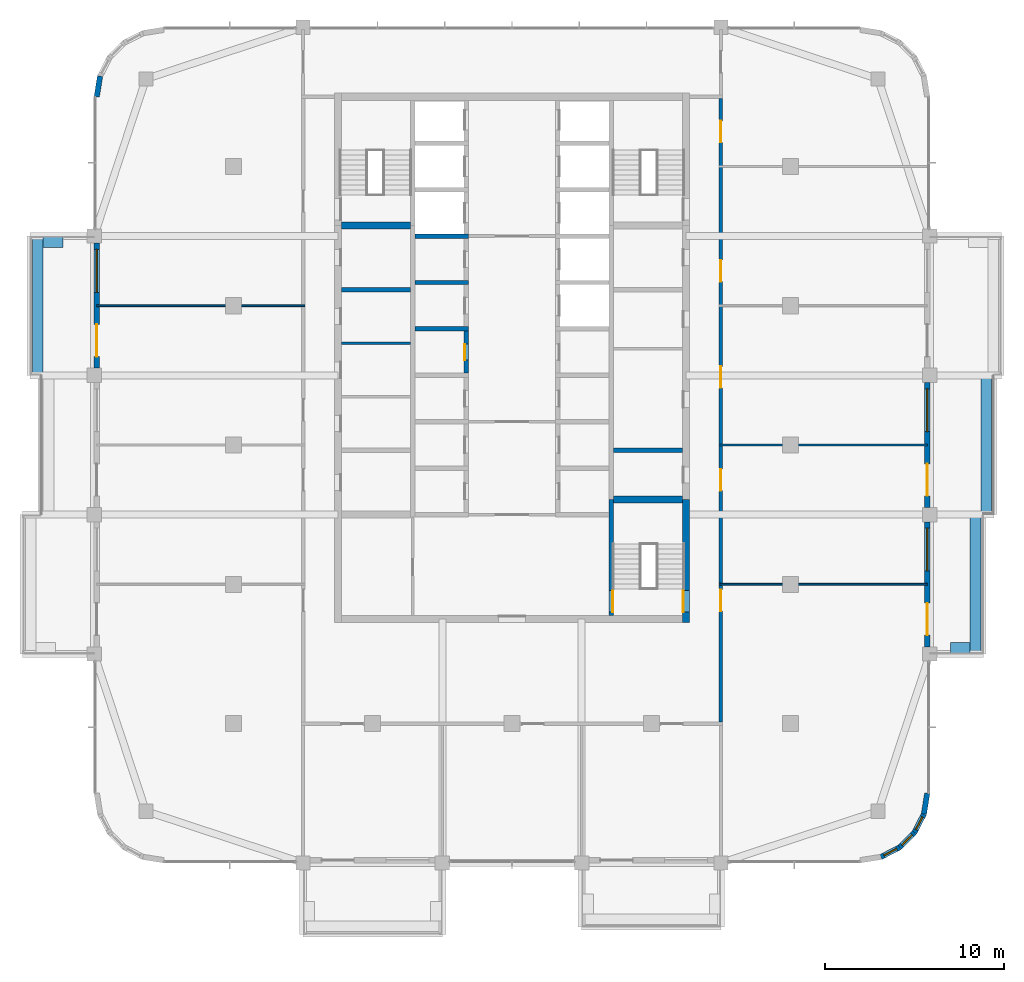
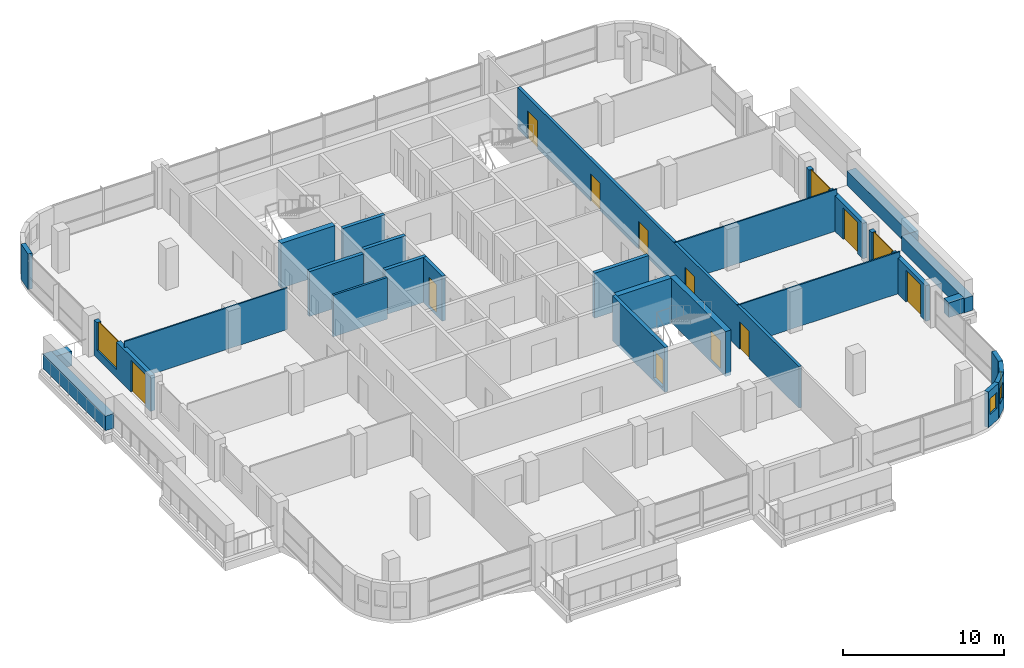
# One storey, part 14 of 22: 28 walls, 11 doors, 6 windows, 17 openings.
"""IFC4 building model written with IfcOpenShell, lengths in metres."""

from ifc_helpers import new_model, si_unit, direction, frame, frame_2d, origin, place, context, subcontext, project, spatial, rectangle, extrude, material, layer, layer_set, type_object, element, fill, save


model = new_model("IFC4")

# Units and contexts
model_context = context("Model", 3, precision=1e-05, world=origin(), true_north=direction((0.0, 1.0)))
body_context = subcontext(model_context, "Body", "Model", "MODEL_VIEW")
ifc_project = project(units=[si_unit("LENGTHUNIT", "METRE"), si_unit("AREAUNIT", "SQUARE_METRE"), si_unit("VOLUMEUNIT", "CUBIC_METRE"), si_unit("PLANEANGLEUNIT", "RADIAN"), si_unit("MASSUNIT", "GRAM", prefix="KILO")], contexts=[model_context])

# Site, building, storey
site_placement = place(None, origin())
site = spatial("IfcSite", under=ifc_project, at=site_placement, CompositionType="ELEMENT")
building_placement = place(site_placement, origin())
building = spatial("IfcBuilding", under=site, at=building_placement, Name="Ludao Terraces", CompositionType="ELEMENT")
storey_placement = place(building_placement, frame((0.0, 0.0, 200.699951171875)))
storey = spatial("IfcBuildingStorey", under=building, at=storey_placement, Name="L54", CompositionType="ELEMENT", Elevation=200.699951171875)

# Wall, opening, door
ifc_material_1 = material(Name="Concrete C50", Category="concrete")
ifc_layer_1 = layer(ifc_material_1, 0.39990234375)
ifc_layer_set_1 = layer_set([ifc_layer_1], Name="Core wall 400 C50")
wall_type_1 = type_object("IfcWallType", Name="Core wall 400 C50", PredefinedType="SOLIDWALL", material=ifc_layer_set_1)
wall_1_placement = place(storey_placement, frame((94.75, 55.050048828125, -0.25), z_axis=(0.0, 0.0, 1.0), x_axis=(0.0, 1.0, 0.0)))
wall_1 = element("IfcWall", 1, at=wall_1_placement, inside=storey, type_object=wall_type_1, Name="Core wall L54 outer-E-S3", PredefinedType="SOLIDWALL", context=body_context, shape_type="SweptSolid", body=[
    extrude(rectangle(XDim=6.89990234375, YDim=0.39990234375, at=frame_2d((3.449951171875, 0.0))), origin(), (0.0, 0.0, 1.0), 3.400146484375),
])
opening_1_placement = place(wall_1_placement, frame((0.60009765625, 0.0, 0.25)))
opening_1 = element("IfcOpeningElement", 2, at=opening_1_placement, cuts=wall_1, Name="Opening C3-006", PredefinedType="OPENING", context=body_context, shape_type="SweptSolid", body=[
    extrude(rectangle(XDim=1.199951171875, YDim=2.10009765625, at=frame_2d((0.60009765625, 1.050048828125))), frame((0.0, 0.2099609375, 0.0), z_axis=(0.0, -1.0, 0.0), x_axis=(1.0, 0.0, 0.0)), (0.0, 0.0, 1.0), 0.419921875),
])
ifc_material_2 = material(Name="Steel Q235", Category="steel")
door_type_1 = type_object("IfcDoorType", Name="INT Stair door 1200", OperationType="DOUBLE_DOOR_SINGLE_SWING", PredefinedType="DOOR", material=ifc_material_2)
door_1_placement = place(opening_1_placement, origin())
door_1 = element("IfcDoor", 3, at=door_1_placement, inside=storey, type_object=door_type_1, Name="DOOR 006", OperationType="DOUBLE_DOOR_SINGLE_SWING", OverallHeight=2.10009765625, OverallWidth=1.199951171875, PredefinedType="DOOR", context=body_context, shape_type="SweptSolid", body=[
    extrude(rectangle(XDim=1.199951171875, YDim=2.10009765625, at=frame_2d((0.60009765625, 1.050048828125))), frame((0.0, 0.18505859375, 0.0), z_axis=(0.0, -1.0, 0.0), x_axis=(1.0, 0.0, 0.0)), (0.0, 0.0, 1.0), 0.050048828125),
])
fill(opening_1, door_1)

# Walls
ifc_material_3 = material(Name="Concrete C40", Category="concrete")
ifc_layer_2 = layer(ifc_material_3, 0.60009765625)
ifc_layer_set_2 = layer_set([ifc_layer_2], Name="ENV Planter trough 600")
wall_type_2 = type_object("IfcWallType", Name="ENV Planter trough 600", PredefinedType="USERDEFINED", material=ifc_layer_set_2)
wall_2_placement = place(storey_placement, frame((110.949951171875, 53.300048828125, 0.0), z_axis=(0.0, 0.0, 1.0), x_axis=(0.0, 1.0, 0.0)))
element("IfcWall", 4, at=wall_2_placement, inside=storey, type_object=wall_type_2, Name="PL-L54-E1", ObjectType="PLANTER", PredefinedType="USERDEFINED", context=body_context, shape_type="SweptSolid", body=[
    extrude(rectangle(XDim=7.800048828125, YDim=0.60009765625, at=frame_2d((3.89990234375, 0.0))), origin(), (0.0, 0.0, 1.0), 1.10009765625),
])
wall_3_placement = place(storey_placement, frame((110.64990234375, 53.64990234375, 0.0), z_axis=(0.0, 0.0, 1.0), x_axis=(-1.0, 0.0, 0.0)))
element("IfcWall", 5, at=wall_3_placement, inside=storey, type_object=wall_type_2, Name="PL-L54-E1-SA", ObjectType="PLANTER", PredefinedType="USERDEFINED", context=body_context, shape_type="SweptSolid", body=[
    extrude(rectangle(XDim=1.099853515625, YDim=0.60009765625, at=frame_2d((0.5498046875, 0.0))), origin(), (0.0, 0.0, 1.0), 1.10009765625),
])
wall_4_placement = place(storey_placement, frame((111.550048828125, 61.10009765625, 0.0), z_axis=(0.0, 0.0, 1.0), x_axis=(0.0, 1.0, 0.0)))
element("IfcWall", 6, at=wall_4_placement, inside=storey, type_object=wall_type_2, Name="PL-L54-E2", ObjectType="PLANTER", PredefinedType="USERDEFINED", context=body_context, shape_type="SweptSolid", body=[
    extrude(rectangle(XDim=7.7998046875, YDim=0.60009765625, at=frame_2d((3.89990234375, 0.0))), origin(), (0.0, 0.0, 1.0), 1.10009765625),
])
wall_5_placement = place(storey_placement, frame((58.449951171875, 68.89990234375, 0.0), z_axis=(0.0, 0.0, 1.0), x_axis=(0.0, 1.0, 0.0)))
element("IfcWall", 7, at=wall_5_placement, inside=storey, type_object=wall_type_2, Name="PL-L54-W3", ObjectType="PLANTER", PredefinedType="USERDEFINED", context=body_context, shape_type="SweptSolid", body=[
    extrude(rectangle(XDim=7.800048828125, YDim=0.60009765625, at=frame_2d((3.89990234375, 0.0))), origin(), (0.0, 0.0, 1.0), 1.10009765625),
])
wall_6_placement = place(storey_placement, frame((58.75, 76.35009765625, 0.0), z_axis=(0.0, 0.0, 1.0), x_axis=(1.0, 0.0, 0.0)))
element("IfcWall", 8, at=wall_6_placement, inside=storey, type_object=wall_type_2, Name="PL-L54-W3-SB", ObjectType="PLANTER", PredefinedType="USERDEFINED", context=body_context, shape_type="SweptSolid", body=[
    extrude(rectangle(XDim=1.10009765625, YDim=0.60009765625, at=frame_2d((0.550048828125, 0.0))), origin(), (0.0, 0.0, 1.0), 1.10009765625),
])

# Wall, openings, door, window
ifc_material_4 = material(Name="Granite cladding", Category="masonry")
ifc_layer_3 = layer(ifc_material_4, 0.0400390625, Category="stone")
ifc_material_5 = material(Name="Mineral wool")
ifc_layer_4 = layer(ifc_material_5, 0.06005859375)
ifc_layer_5 = layer(ifc_material_3, 0.199951171875, Category="concrete")
ifc_layer_set_3 = layer_set([ifc_layer_3, ifc_layer_4, ifc_layer_5], Name="ENV Stone-clad wall 300")
wall_type_3 = type_object("IfcWallType", Name="ENV Stone-clad wall 300", PredefinedType="SOLIDWALL", material=ifc_layer_set_3)
wall_7_placement = place(storey_placement, frame((108.25, 53.699951171875, 0.0), z_axis=(0.0, 0.0, 1.0), x_axis=(0.0, 1.0, 0.0)))
wall_7 = element("IfcWall", 9, at=wall_7_placement, inside=storey, type_object=wall_type_3, Name="EW-L54-E2", PredefinedType="SOLIDWALL", context=body_context, shape_type="SweptSolid", body=[
    extrude(rectangle(XDim=7.0, YDim=0.300048828125, at=frame_2d((3.5, 0.0))), origin(), (0.0, 0.0, 1.0), 2.699951171875),
])
opening_2_placement = place(wall_7_placement, frame((0.64990234375, 0.0, 0.0)))
opening_2 = element("IfcOpeningElement", 10, at=opening_2_placement, cuts=wall_7, Name="Opening BD", PredefinedType="OPENING", context=body_context, shape_type="SweptSolid", body=[
    extrude(rectangle(XDim=1.800048828125, YDim=2.39990234375, at=frame_2d((0.89990234375, 1.199951171875))), frame((0.0, 0.16015625, 0.0), z_axis=(0.0, -1.0, 0.0), x_axis=(1.0, 0.0, 0.0)), (0.0, 0.0, 1.0), 0.320068359375),
])
opening_3_placement = place(wall_7_placement, frame((4.25, 0.0, 0.60009765625)))
opening_3 = element("IfcOpeningElement", 11, at=opening_3_placement, cuts=wall_7, Name="Opening W4", PredefinedType="OPENING", context=body_context, shape_type="SweptSolid", body=[
    extrude(rectangle(XDim=2.39990234375, YDim=2.10009765625, at=frame_2d((1.199951171875, 1.050048828125))), frame((0.0, 0.16015625, 0.0), z_axis=(0.0, -1.0, 0.0), x_axis=(1.0, 0.0, 0.0)), (0.0, 0.0, 1.0), 0.320068359375),
])
ifc_material_6 = material(Name="Aluminium glazed door", Category="aluminium")
ifc_layer_6 = layer(ifc_material_6, 0.06005859375)
ifc_layer_set_4 = layer_set([ifc_layer_6], Name="ENV Balcony door BD 1800x2400")
door_type_2 = type_object("IfcDoorType", Name="ENV Balcony door BD 1800x2400", OperationType="DOUBLE_DOOR_SINGLE_SWING", PredefinedType="DOOR", material=ifc_layer_set_4)
door_2_placement = place(opening_2_placement, origin())
door_2 = element("IfcDoor", 12, at=door_2_placement, inside=storey, type_object=door_type_2, Name="BD-L54-E2-1", OperationType="DOUBLE_DOOR_SINGLE_SWING", OverallHeight=2.39990234375, OverallWidth=1.800048828125, PredefinedType="DOOR", context=body_context, shape_type="SweptSolid", body=[
    extrude(rectangle(XDim=1.800048828125, YDim=2.39990234375, at=frame_2d((0.89990234375, 1.199951171875))), frame((0.0, 0.02490234375, 0.0), z_axis=(0.0, -1.0, 0.0), x_axis=(1.0, 0.0, 0.0)), (0.0, 0.0, 1.0), 0.050048828125),
])
fill(opening_2, door_2)
ifc_material_7 = material(Name="Clear glass in aluminium frame", Category="aluminium")
ifc_layer_7 = layer(ifc_material_7, 0.06005859375)
ifc_layer_set_5 = layer_set([ifc_layer_7], Name="ENV Window W4 2400x2100")
window_type_1 = type_object("IfcWindowType", Name="ENV Window W4 2400x2100", PartitioningType="SINGLE_PANEL", PredefinedType="WINDOW", material=ifc_layer_set_5)
window_1_placement = place(opening_3_placement, origin())
window_1 = element("IfcWindow", 13, at=window_1_placement, inside=storey, type_object=window_type_1, Name="W-L54-E2-2", OverallHeight=2.10009765625, OverallWidth=2.39990234375, PartitioningType="SINGLE_PANEL", PredefinedType="WINDOW", context=body_context, shape_type="SweptSolid", body=[
    extrude(rectangle(XDim=2.39990234375, YDim=2.10009765625, at=frame_2d((1.199951171875, 1.050048828125))), frame((0.0, 0.030029296875, 0.0), z_axis=(0.0, -1.0, 0.0), x_axis=(1.0, 0.0, 0.0)), (0.0, 0.0, 1.0), 0.06005859375),
])
fill(opening_3, window_1)

wall_8_placement = place(storey_placement, frame((108.25, 61.5, 0.0), z_axis=(0.0, 0.0, 1.0), x_axis=(0.0, 1.0, 0.0)))
wall_8 = element("IfcWall", 14, at=wall_8_placement, inside=storey, type_object=wall_type_3, Name="EW-L54-E3", PredefinedType="SOLIDWALL", context=body_context, shape_type="SweptSolid", body=[
    extrude(rectangle(XDim=7.0, YDim=0.300048828125, at=frame_2d((3.5, 0.0))), origin(), (0.0, 0.0, 1.0), 2.699951171875),
])
opening_4_placement = place(wall_8_placement, frame((0.64990234375, 0.0, 0.0)))
opening_4 = element("IfcOpeningElement", 15, at=opening_4_placement, cuts=wall_8, Name="Opening BD", PredefinedType="OPENING", context=body_context, shape_type="SweptSolid", body=[
    extrude(rectangle(XDim=1.800048828125, YDim=2.39990234375, at=frame_2d((0.89990234375, 1.199951171875))), frame((0.0, 0.16015625, 0.0), z_axis=(0.0, -1.0, 0.0), x_axis=(1.0, 0.0, 0.0)), (0.0, 0.0, 1.0), 0.320068359375),
])
opening_5_placement = place(wall_8_placement, frame((4.25, 0.0, 0.60009765625)))
opening_5 = element("IfcOpeningElement", 16, at=opening_5_placement, cuts=wall_8, Name="Opening W4", PredefinedType="OPENING", context=body_context, shape_type="SweptSolid", body=[
    extrude(rectangle(XDim=2.39990234375, YDim=2.10009765625, at=frame_2d((1.199951171875, 1.050048828125))), frame((0.0, 0.16015625, 0.0), z_axis=(0.0, -1.0, 0.0), x_axis=(1.0, 0.0, 0.0)), (0.0, 0.0, 1.0), 0.320068359375),
])
door_3_placement = place(opening_4_placement, origin())
door_3 = element("IfcDoor", 17, at=door_3_placement, inside=storey, type_object=door_type_2, Name="BD-L54-E3-1", OperationType="DOUBLE_DOOR_SINGLE_SWING", OverallHeight=2.39990234375, OverallWidth=1.800048828125, PredefinedType="DOOR", context=body_context, shape_type="SweptSolid", body=[
    extrude(rectangle(XDim=1.800048828125, YDim=2.39990234375, at=frame_2d((0.89990234375, 1.199951171875))), frame((0.0, 0.02490234375, 0.0), z_axis=(0.0, -1.0, 0.0), x_axis=(1.0, 0.0, 0.0)), (0.0, 0.0, 1.0), 0.050048828125),
])
fill(opening_4, door_3)
window_2_placement = place(opening_5_placement, origin())
window_2 = element("IfcWindow", 18, at=window_2_placement, inside=storey, type_object=window_type_1, Name="W-L54-E3-2", OverallHeight=2.10009765625, OverallWidth=2.39990234375, PartitioningType="SINGLE_PANEL", PredefinedType="WINDOW", context=body_context, shape_type="SweptSolid", body=[
    extrude(rectangle(XDim=2.39990234375, YDim=2.10009765625, at=frame_2d((1.199951171875, 1.050048828125))), frame((0.0, 0.030029296875, 0.0), z_axis=(0.0, -1.0, 0.0), x_axis=(1.0, 0.0, 0.0)), (0.0, 0.0, 1.0), 0.06005859375),
])
fill(opening_5, window_2)

wall_9_placement = place(storey_placement, frame((61.75, 69.300048828125, 0.0), z_axis=(0.0, 0.0, 1.0), x_axis=(0.0, 1.0, 0.0)))
wall_9 = element("IfcWall", 19, at=wall_9_placement, inside=storey, type_object=wall_type_3, Name="EW-L54-W4", PredefinedType="SOLIDWALL", context=body_context, shape_type="SweptSolid", body=[
    extrude(rectangle(XDim=7.0, YDim=0.300048828125, at=frame_2d((3.5, 0.0))), origin(), (0.0, 0.0, 1.0), 2.699951171875),
])
opening_6_placement = place(wall_9_placement, frame((0.64990234375, 0.0, 0.0)))
opening_6 = element("IfcOpeningElement", 20, at=opening_6_placement, cuts=wall_9, Name="Opening BD", PredefinedType="OPENING", context=body_context, shape_type="SweptSolid", body=[
    extrude(rectangle(XDim=1.800048828125, YDim=2.39990234375, at=frame_2d((0.89990234375, 1.199951171875))), frame((0.0, 0.16015625, 0.0), z_axis=(0.0, -1.0, 0.0), x_axis=(1.0, 0.0, 0.0)), (0.0, 0.0, 1.0), 0.320068359375),
])
opening_7_placement = place(wall_9_placement, frame((4.25, 0.0, 0.60009765625)))
opening_7 = element("IfcOpeningElement", 21, at=opening_7_placement, cuts=wall_9, Name="Opening W4", PredefinedType="OPENING", context=body_context, shape_type="SweptSolid", body=[
    extrude(rectangle(XDim=2.39990234375, YDim=2.10009765625, at=frame_2d((1.199951171875, 1.050048828125))), frame((0.0, 0.16015625, 0.0), z_axis=(0.0, -1.0, 0.0), x_axis=(1.0, 0.0, 0.0)), (0.0, 0.0, 1.0), 0.320068359375),
])
door_4_placement = place(opening_6_placement, origin())
door_4 = element("IfcDoor", 22, at=door_4_placement, inside=storey, type_object=door_type_2, Name="BD-L54-W4-1", OperationType="DOUBLE_DOOR_SINGLE_SWING", OverallHeight=2.39990234375, OverallWidth=1.800048828125, PredefinedType="DOOR", context=body_context, shape_type="SweptSolid", body=[
    extrude(rectangle(XDim=1.800048828125, YDim=2.39990234375, at=frame_2d((0.89990234375, 1.199951171875))), frame((0.0, 0.02490234375, 0.0), z_axis=(0.0, -1.0, 0.0), x_axis=(1.0, 0.0, 0.0)), (0.0, 0.0, 1.0), 0.050048828125),
])
fill(opening_6, door_4)
window_3_placement = place(opening_7_placement, origin())
window_3 = element("IfcWindow", 23, at=window_3_placement, inside=storey, type_object=window_type_1, Name="W-L54-W4-2", OverallHeight=2.10009765625, OverallWidth=2.39990234375, PartitioningType="SINGLE_PANEL", PredefinedType="WINDOW", context=body_context, shape_type="SweptSolid", body=[
    extrude(rectangle(XDim=2.39990234375, YDim=2.10009765625, at=frame_2d((1.199951171875, 1.050048828125))), frame((0.0, 0.030029296875, 0.0), z_axis=(0.0, -1.0, 0.0), x_axis=(1.0, 0.0, 0.0)), (0.0, 0.0, 1.0), 0.06005859375),
])
fill(opening_7, window_3)

# Wall, opening, window
wall_10_placement = place(storey_placement, frame((105.65869140625, 41.93359375, 0.0), z_axis=(0.0, 0.0, 1.0), x_axis=(0.890988677504, 0.454025524128, 0.0)))
wall_10 = element("IfcWall", 24, at=wall_10_placement, inside=storey, type_object=wall_type_3, Name="EW-L54-SE2", PredefinedType="SOLIDWALL", context=body_context, shape_type="SweptSolid", body=[
    extrude(rectangle(XDim=1.17333984375, YDim=0.300048828125, at=frame_2d((0.586669921875, 0.0))), origin(), (0.0, 0.0, 1.0), 2.699951171875),
])
opening_8_placement = place(wall_10_placement, frame((0.1865234375, 0.0, 0.89990234375)))
opening_8 = element("IfcOpeningElement", 25, at=opening_8_placement, cuts=wall_10, Name="Opening W3", PredefinedType="OPENING", context=body_context, shape_type="SweptSolid", body=[
    extrude(rectangle(XDim=0.800048828125, YDim=1.199951171875, at=frame_2d((0.39990234375, 0.60009765625))), frame((0.0, 0.16015625, 0.0), z_axis=(0.0, -1.0, 0.0), x_axis=(1.0, 0.0, 0.0)), (0.0, 0.0, 1.0), 0.320068359375),
])
ifc_layer_8 = layer(ifc_material_7, 0.06005859375)
ifc_layer_set_6 = layer_set([ifc_layer_8], Name="ENV Window W3 800x1200")
window_type_2 = type_object("IfcWindowType", Name="ENV Window W3 800x1200", PartitioningType="SINGLE_PANEL", PredefinedType="WINDOW", material=ifc_layer_set_6)
window_4_placement = place(opening_8_placement, origin())
window_4 = element("IfcWindow", 26, at=window_4_placement, inside=storey, type_object=window_type_2, Name="W-L54-SE2", OverallHeight=1.199951171875, OverallWidth=0.800048828125, PartitioningType="SINGLE_PANEL", PredefinedType="WINDOW", context=body_context, shape_type="SweptSolid", body=[
    extrude(rectangle(XDim=0.800048828125, YDim=1.199951171875, at=frame_2d((0.39990234375, 0.60009765625))), frame((0.0, 0.030029296875, 0.0), z_axis=(0.0, -1.0, 0.0), x_axis=(1.0, 0.0, 0.0)), (0.0, 0.0, 1.0), 0.06005859375),
])
fill(opening_8, window_4)

wall_11_placement = place(storey_placement, frame((106.7041015625, 42.46630859375, 0.0), z_axis=(0.0, 0.0, 1.0), x_axis=(0.707106781187, 0.707106781187, 0.0)))
wall_11 = element("IfcWall", 27, at=wall_11_placement, inside=storey, type_object=wall_type_3, Name="EW-L54-SE3", PredefinedType="SOLIDWALL", context=body_context, shape_type="SweptSolid", body=[
    extrude(rectangle(XDim=1.173095703125, YDim=0.300048828125, at=frame_2d((0.58642578125, 0.0))), origin(), (0.0, 0.0, 1.0), 2.699951171875),
])
opening_9_placement = place(wall_11_placement, frame((0.1865234375, 0.0, 0.89990234375)))
opening_9 = element("IfcOpeningElement", 28, at=opening_9_placement, cuts=wall_11, Name="Opening W3", PredefinedType="OPENING", context=body_context, shape_type="SweptSolid", body=[
    extrude(rectangle(XDim=0.800048828125, YDim=1.199951171875, at=frame_2d((0.39990234375, 0.60009765625))), frame((0.0, 0.16015625, 0.0), z_axis=(0.0, -1.0, 0.0), x_axis=(1.0, 0.0, 0.0)), (0.0, 0.0, 1.0), 0.320068359375),
])
window_5_placement = place(opening_9_placement, origin())
window_5 = element("IfcWindow", 29, at=window_5_placement, inside=storey, type_object=window_type_2, Name="W-L54-SE3", OverallHeight=1.199951171875, OverallWidth=0.800048828125, PartitioningType="SINGLE_PANEL", PredefinedType="WINDOW", context=body_context, shape_type="SweptSolid", body=[
    extrude(rectangle(XDim=0.800048828125, YDim=1.199951171875, at=frame_2d((0.39990234375, 0.60009765625))), frame((0.0, 0.030029296875, 0.0), z_axis=(0.0, -1.0, 0.0), x_axis=(1.0, 0.0, 0.0)), (0.0, 0.0, 1.0), 0.06005859375),
])
fill(opening_9, window_5)

wall_12_placement = place(storey_placement, frame((107.53369140625, 43.2958984375, 0.0), z_axis=(0.0, 0.0, 1.0), x_axis=(0.454025524128, 0.890988677504, 0.0)))
wall_12 = element("IfcWall", 30, at=wall_12_placement, inside=storey, type_object=wall_type_3, Name="EW-L54-SE4", PredefinedType="SOLIDWALL", context=body_context, shape_type="SweptSolid", body=[
    extrude(rectangle(XDim=1.17333984375, YDim=0.300048828125, at=frame_2d((0.586669921875, 0.0))), origin(), (0.0, 0.0, 1.0), 2.699951171875),
])
opening_10_placement = place(wall_12_placement, frame((0.1865234375, 0.0, 0.89990234375)))
opening_10 = element("IfcOpeningElement", 31, at=opening_10_placement, cuts=wall_12, Name="Opening W3", PredefinedType="OPENING", context=body_context, shape_type="SweptSolid", body=[
    extrude(rectangle(XDim=0.800048828125, YDim=1.199951171875, at=frame_2d((0.39990234375, 0.60009765625))), frame((0.0, 0.16015625, 0.0), z_axis=(0.0, -1.0, 0.0), x_axis=(1.0, 0.0, 0.0)), (0.0, 0.0, 1.0), 0.320068359375),
])
window_6_placement = place(opening_10_placement, origin())
window_6 = element("IfcWindow", 32, at=window_6_placement, inside=storey, type_object=window_type_2, Name="W-L54-SE4", OverallHeight=1.199951171875, OverallWidth=0.800048828125, PartitioningType="SINGLE_PANEL", PredefinedType="WINDOW", context=body_context, shape_type="SweptSolid", body=[
    extrude(rectangle(XDim=0.800048828125, YDim=1.199951171875, at=frame_2d((0.39990234375, 0.60009765625))), frame((0.0, 0.030029296875, 0.0), z_axis=(0.0, -1.0, 0.0), x_axis=(1.0, 0.0, 0.0)), (0.0, 0.0, 1.0), 0.06005859375),
])
fill(opening_10, window_6)

# Walls
for number, where, z_axis, x_axis, name in (
    (33, (108.06640625, 44.34130859375, 0.0), (0.0, 0.0, 1.0), (0.156496880861, 0.987678452879, 0.0), "EW-L54-SE5"),
    (34, (61.93359375, 85.65869140625, 0.0), (0.0, 0.0, 1.0), (-0.156496880861, -0.987678452879, 0.0), "EW-L54-NW5"),
):
    element("IfcWall", number, at=place(storey_placement, frame(where, z_axis=z_axis, x_axis=x_axis)), inside=storey, type_object=wall_type_3, Name=name, PredefinedType="SOLIDWALL", context=body_context, shape_type="SweptSolid", body=[
        extrude(rectangle(XDim=1.173095703125, YDim=0.300048828125, at=frame_2d((0.58642578125, 0.0))), origin(), (0.0, 0.0, 1.0), 2.699951171875),
    ])
ifc_material_8 = material(Name="Fire-rated gypsum plasterboard", Category="gypsum")
ifc_layer_9 = layer(ifc_material_8, 0.012451171875, Category="gypsum")
ifc_layer_10 = layer(ifc_material_5, 0.10009765625, Name="insulation")
ifc_layer_11 = layer(ifc_material_2, 0.02490234375, Name="stud")
ifc_layer_12 = layer(ifc_material_8, 0.012451171875, Category="gypsum")
ifc_layer_set_7 = layer_set([ifc_layer_9, ifc_layer_10, ifc_layer_11, ifc_layer_12], Name="INT Core partition 150")
wall_type_4 = type_object("IfcWallType", Name="INT Core partition 150", PredefinedType="PARTITIONING", material=ifc_layer_set_7)
wall_13_placement = place(storey_placement, frame((75.4501953125, 70.699951171875, 0.0), z_axis=(0.0, 0.0, 1.0), x_axis=(1.0, 0.0, 0.0)))
element("IfcWall", 35, at=wall_13_placement, inside=storey, type_object=wall_type_4, Name="PW-L54-PW009", PredefinedType="PARTITIONING", context=body_context, shape_type="SweptSolid", body=[
    extrude(rectangle(XDim=3.875, YDim=0.14990234375, at=frame_2d((1.9375, 0.0))), origin(), (0.0, 0.0, 1.0), 3.150146484375),
])

# Wall, openings, doors
ifc_material_9 = material(Name="Autoclaved aerated concrete block B06 A3.5", Category="concrete")
ifc_layer_13 = layer(ifc_material_9, 0.199951171875)
ifc_layer_set_8 = layer_set([ifc_layer_13], Name="INT Entrance wall 200")
wall_type_5 = type_object("IfcWallType", Name="INT Entrance wall 200", PredefinedType="PARTITIONING", material=ifc_layer_set_8)
wall_14_placement = place(storey_placement, frame((96.699951171875, 49.5, 0.0), z_axis=(0.0, 0.0, 1.0), x_axis=(0.0, 1.0, 0.0)))
wall_14 = element("IfcWall", 36, at=wall_14_placement, inside=storey, type_object=wall_type_5, Name="PW-L54-PW023", PredefinedType="PARTITIONING", context=body_context, shape_type="SweptSolid", body=[
    extrude(rectangle(XDim=34.900146484375, YDim=0.199951171875, at=frame_2d((17.4501953125, 0.0))), origin(), (0.0, 0.0, 1.0), 3.150146484375),
])
opening_11_placement = place(wall_14_placement, frame((6.2001953125, 0.0, 0.0)))
opening_11 = element("IfcOpeningElement", 37, at=opening_11_placement, cuts=wall_14, Name="Opening C3-008", PredefinedType="OPENING", context=body_context, shape_type="SweptSolid", body=[
    extrude(rectangle(XDim=1.199951171875, YDim=2.10009765625, at=frame_2d((0.60009765625, 1.050048828125))), frame((0.0, 0.10986328125, 0.0), z_axis=(0.0, -1.0, 0.0), x_axis=(1.0, 0.0, 0.0)), (0.0, 0.0, 1.0), 0.219970703125),
])
opening_12_placement = place(wall_14_placement, frame((12.9501953125, 0.0, 0.0)))
opening_12 = element("IfcOpeningElement", 38, at=opening_12_placement, cuts=wall_14, Name="Opening C3-015", PredefinedType="OPENING", context=body_context, shape_type="SweptSolid", body=[
    extrude(rectangle(XDim=1.199951171875, YDim=2.10009765625, at=frame_2d((0.60009765625, 1.050048828125))), frame((0.0, 0.10986328125, 0.0), z_axis=(0.0, -1.0, 0.0), x_axis=(1.0, 0.0, 0.0)), (0.0, 0.0, 1.0), 0.219970703125),
])
opening_13_placement = place(wall_14_placement, frame((18.7001953125, 0.0, 0.0)))
opening_13 = element("IfcOpeningElement", 39, at=opening_13_placement, cuts=wall_14, Name="Opening C3-025", PredefinedType="OPENING", context=body_context, shape_type="SweptSolid", body=[
    extrude(rectangle(XDim=1.199951171875, YDim=2.10009765625, at=frame_2d((0.60009765625, 1.050048828125))), frame((0.0, 0.10986328125, 0.0), z_axis=(0.0, -1.0, 0.0), x_axis=(1.0, 0.0, 0.0)), (0.0, 0.0, 1.0), 0.219970703125),
])
opening_14_placement = place(wall_14_placement, frame((24.650146484375, 0.0, 0.0)))
opening_14 = element("IfcOpeningElement", 40, at=opening_14_placement, cuts=wall_14, Name="Opening C3-033", PredefinedType="OPENING", context=body_context, shape_type="SweptSolid", body=[
    extrude(rectangle(XDim=1.199951171875, YDim=2.10009765625, at=frame_2d((0.60009765625, 1.050048828125))), frame((0.0, 0.10986328125, 0.0), z_axis=(0.0, -1.0, 0.0), x_axis=(1.0, 0.0, 0.0)), (0.0, 0.0, 1.0), 0.219970703125),
])
opening_15_placement = place(wall_14_placement, frame((32.4501953125, 0.0, 0.0)))
opening_15 = element("IfcOpeningElement", 41, at=opening_15_placement, cuts=wall_14, Name="Opening C3-046", PredefinedType="OPENING", context=body_context, shape_type="SweptSolid", body=[
    extrude(rectangle(XDim=1.199951171875, YDim=2.10009765625, at=frame_2d((0.60009765625, 1.050048828125))), frame((0.0, 0.10986328125, 0.0), z_axis=(0.0, -1.0, 0.0), x_axis=(1.0, 0.0, 0.0)), (0.0, 0.0, 1.0), 0.219970703125),
])
ifc_material_10 = material(Name="Timber door leaf", Category="wood")
door_type_3 = type_object("IfcDoorType", Name="INT Double door 1200", OperationType="DOUBLE_DOOR_SINGLE_SWING", PredefinedType="DOOR", material=ifc_material_10)
door_5_placement = place(opening_11_placement, origin())
door_5 = element("IfcDoor", 42, at=door_5_placement, inside=storey, type_object=door_type_3, Name="DOOR 008", OperationType="DOUBLE_DOOR_SINGLE_SWING", OverallHeight=2.10009765625, OverallWidth=1.199951171875, PredefinedType="DOOR", context=body_context, shape_type="SweptSolid", body=[
    extrude(rectangle(XDim=1.199951171875, YDim=2.10009765625, at=frame_2d((0.60009765625, 1.050048828125))), frame((0.0, 0.02490234375, 0.0), z_axis=(0.0, -1.0, 0.0), x_axis=(1.0, 0.0, 0.0)), (0.0, 0.0, 1.0), 0.050048828125),
])
fill(opening_11, door_5)
door_6_placement = place(opening_12_placement, origin())
door_6 = element("IfcDoor", 43, at=door_6_placement, inside=storey, type_object=door_type_3, Name="DOOR 015", OperationType="DOUBLE_DOOR_SINGLE_SWING", OverallHeight=2.10009765625, OverallWidth=1.199951171875, PredefinedType="DOOR", context=body_context, shape_type="SweptSolid", body=[
    extrude(rectangle(XDim=1.199951171875, YDim=2.10009765625, at=frame_2d((0.60009765625, 1.050048828125))), frame((0.0, 0.02490234375, 0.0), z_axis=(0.0, -1.0, 0.0), x_axis=(1.0, 0.0, 0.0)), (0.0, 0.0, 1.0), 0.050048828125),
])
fill(opening_12, door_6)
door_7_placement = place(opening_13_placement, origin())
door_7 = element("IfcDoor", 44, at=door_7_placement, inside=storey, type_object=door_type_3, Name="DOOR 025", OperationType="DOUBLE_DOOR_SINGLE_SWING", OverallHeight=2.10009765625, OverallWidth=1.199951171875, PredefinedType="DOOR", context=body_context, shape_type="SweptSolid", body=[
    extrude(rectangle(XDim=1.199951171875, YDim=2.10009765625, at=frame_2d((0.60009765625, 1.050048828125))), frame((0.0, 0.02490234375, 0.0), z_axis=(0.0, -1.0, 0.0), x_axis=(1.0, 0.0, 0.0)), (0.0, 0.0, 1.0), 0.050048828125),
])
fill(opening_13, door_7)
door_8_placement = place(opening_14_placement, origin())
door_8 = element("IfcDoor", 45, at=door_8_placement, inside=storey, type_object=door_type_3, Name="DOOR 033", OperationType="DOUBLE_DOOR_SINGLE_SWING", OverallHeight=2.10009765625, OverallWidth=1.199951171875, PredefinedType="DOOR", context=body_context, shape_type="SweptSolid", body=[
    extrude(rectangle(XDim=1.199951171875, YDim=2.10009765625, at=frame_2d((0.60009765625, 1.050048828125))), frame((0.0, 0.02490234375, 0.0), z_axis=(0.0, -1.0, 0.0), x_axis=(1.0, 0.0, 0.0)), (0.0, 0.0, 1.0), 0.050048828125),
])
fill(opening_14, door_8)
door_9_placement = place(opening_15_placement, origin())
door_9 = element("IfcDoor", 46, at=door_9_placement, inside=storey, type_object=door_type_3, Name="DOOR 046", OperationType="DOUBLE_DOOR_SINGLE_SWING", OverallHeight=2.10009765625, OverallWidth=1.199951171875, PredefinedType="DOOR", context=body_context, shape_type="SweptSolid", body=[
    extrude(rectangle(XDim=1.199951171875, YDim=2.10009765625, at=frame_2d((0.60009765625, 1.050048828125))), frame((0.0, 0.02490234375, 0.0), z_axis=(0.0, -1.0, 0.0), x_axis=(1.0, 0.0, 0.0)), (0.0, 0.0, 1.0), 0.050048828125),
])
fill(opening_15, door_9)

# Walls
ifc_material_11 = material(Name="Gypsum plasterboard", Category="gypsum")
ifc_layer_14 = layer(ifc_material_11, 0.012451171875, Category="gypsum")
ifc_layer_15 = layer(ifc_material_5, 0.06005859375, Name="insulation")
ifc_layer_16 = layer(ifc_material_2, 0.014892578125, Name="stud")
ifc_layer_17 = layer(ifc_material_11, 0.012451171875, Category="gypsum")
ifc_layer_set_9 = layer_set([ifc_layer_14, ifc_layer_15, ifc_layer_16, ifc_layer_17], Name="INT Partition 100")
wall_type_6 = type_object("IfcWallType", Name="INT Partition 100", PredefinedType="PARTITIONING", material=ifc_layer_set_9)
for number, where, z_axis, x_axis, name in (
    (47, (96.60009765625, 57.199951171875, 0.0), (0.0, 0.0, 1.0), (1.0, 0.0, 0.0), "PW-L54-PW002"),
    (48, (96.60009765625, 65.0, 0.0), (0.0, 0.0, 1.0), (1.0, 0.0, 0.0), "PW-L54-PW005"),
):
    element("IfcWall", number, at=place(storey_placement, frame(where, z_axis=z_axis, x_axis=x_axis)), inside=storey, type_object=wall_type_6, Name=name, PredefinedType="PARTITIONING", context=body_context, shape_type="SweptSolid", body=[
        extrude(rectangle(XDim=11.664794921875, YDim=0.10009765625, at=frame_2d((5.83251953125, 0.0))), origin(), (0.0, 0.0, 1.0), 3.150146484375),
    ])
wall_15_placement = place(storey_placement, frame((61.735107421875, 72.800048828125, 0.0), z_axis=(0.0, 0.0, 1.0), x_axis=(1.0, 0.0, 0.0)))
element("IfcWall", 49, at=wall_15_placement, inside=storey, type_object=wall_type_6, Name="PW-L54-PW010", PredefinedType="PARTITIONING", context=body_context, shape_type="SweptSolid", body=[
    extrude(rectangle(XDim=11.6650390625, YDim=0.10009765625, at=frame_2d((5.83251953125, 0.0))), origin(), (0.0, 0.0, 1.0), 3.150146484375),
])

# Wall, opening, door
ifc_layer_18 = layer(ifc_material_1, 0.25)
ifc_layer_set_10 = layer_set([ifc_layer_18], Name="Shaft wall 250 C50")
wall_type_7 = type_object("IfcWallType", Name="Shaft wall 250 C50", PredefinedType="SOLIDWALL", material=ifc_layer_set_10)
wall_16_placement = place(storey_placement, frame((90.550048828125, 55.449951171875, -0.25), z_axis=(0.0, 0.0, 1.0), x_axis=(0.0, 1.0, 0.0)))
wall_16 = element("IfcWall", 50, at=wall_16_placement, inside=storey, type_object=wall_type_7, Name="Core wall L54 back-E-S3", PredefinedType="SOLIDWALL", context=body_context, shape_type="SweptSolid", body=[
    extrude(rectangle(XDim=6.5, YDim=0.25, at=frame_2d((3.25, 0.0))), origin(), (0.0, 0.0, 1.0), 3.400146484375),
])
opening_16_placement = place(wall_16_placement, frame((0.199951171875, 0.0, 0.25)))
opening_16 = element("IfcOpeningElement", 51, at=opening_16_placement, cuts=wall_16, Name="Opening C3-005", PredefinedType="OPENING", context=body_context, shape_type="SweptSolid", body=[
    extrude(rectangle(XDim=1.199951171875, YDim=2.10009765625, at=frame_2d((0.60009765625, 1.050048828125))), frame((0.0, 0.135009765625, 0.0), z_axis=(0.0, -1.0, 0.0), x_axis=(1.0, 0.0, 0.0)), (0.0, 0.0, 1.0), 0.27001953125),
])
door_10_placement = place(opening_16_placement, origin())
door_10 = element("IfcDoor", 52, at=door_10_placement, inside=storey, type_object=door_type_1, Name="DOOR 005", OperationType="DOUBLE_DOOR_SINGLE_SWING", OverallHeight=2.10009765625, OverallWidth=1.199951171875, PredefinedType="DOOR", context=body_context, shape_type="SweptSolid", body=[
    extrude(rectangle(XDim=1.199951171875, YDim=2.10009765625, at=frame_2d((0.60009765625, 1.050048828125))), frame((0.0, -0.06005859375, 0.0), z_axis=(0.0, -1.0, 0.0), x_axis=(1.0, 0.0, 0.0)), (0.0, 0.0, 1.0), 0.050048828125),
])
fill(opening_16, door_10)

wall_17_placement = place(storey_placement, frame((82.449951171875, 69.02490234375, -0.25), z_axis=(0.0, 0.0, 1.0), x_axis=(0.0, 1.0, 0.0)))
wall_17 = element("IfcWall", 53, at=wall_17_placement, inside=storey, type_object=wall_type_7, Name="Core wall L54 front-W4", PredefinedType="SOLIDWALL", context=body_context, shape_type="SweptSolid", body=[
    extrude(rectangle(XDim=2.35009765625, YDim=0.25, at=frame_2d((1.175048828125, 0.0))), origin(), (0.0, 0.0, 1.0), 3.400146484375),
])
opening_17_placement = place(wall_17_placement, frame((0.72509765625, 0.0, 0.25)))
opening_17 = element("IfcOpeningElement", 54, at=opening_17_placement, cuts=wall_17, Name="Opening C3-027", PredefinedType="OPENING", context=body_context, shape_type="SweptSolid", body=[
    extrude(rectangle(XDim=0.89990234375, YDim=2.10009765625, at=frame_2d((0.449951171875, 1.050048828125))), frame((0.0, 0.135009765625, 0.0), z_axis=(0.0, -1.0, 0.0), x_axis=(1.0, 0.0, 0.0)), (0.0, 0.0, 1.0), 0.27001953125),
])
door_type_4 = type_object("IfcDoorType", Name="INT Room door 900", OperationType="SINGLE_SWING_LEFT", PredefinedType="DOOR", material=ifc_material_10)
door_11_placement = place(opening_17_placement, origin())
door_11 = element("IfcDoor", 55, at=door_11_placement, inside=storey, type_object=door_type_4, Name="DOOR 027", OperationType="SINGLE_SWING_RIGHT", OverallHeight=2.10009765625, OverallWidth=0.89990234375, PredefinedType="DOOR", context=body_context, shape_type="SweptSolid", body=[
    extrude(rectangle(XDim=0.89990234375, YDim=2.10009765625, at=frame_2d((0.449951171875, 1.050048828125))), frame((0.0, 0.10986328125, 0.0), z_axis=(0.0, -1.0, 0.0), x_axis=(1.0, 0.0, 0.0)), (0.0, 0.0, 1.0), 0.050048828125),
])
fill(opening_17, door_11)

# Walls
for number, where, z_axis, x_axis, name in (
    (56, (79.574951171875, 71.5, -0.25), (0.0, 0.0, 1.0), (1.0, 0.0, 0.0), "Core wall L54 div-W5"),
    (57, (79.574951171875, 74.10009765625, -0.25), (0.0, 0.0, 1.0), (1.0, 0.0, 0.0), "Core wall L54 div-W6"),
    (58, (79.574951171875, 76.699951171875, -0.25), (0.0, 0.0, 1.0), (1.0, 0.0, 0.0), "Core wall L54 div-W7"),
):
    element("IfcWall", number, at=place(storey_placement, frame(where, z_axis=z_axis, x_axis=x_axis)), inside=storey, type_object=wall_type_7, Name=name, PredefinedType="SOLIDWALL", context=body_context, shape_type="SweptSolid", body=[
        extrude(rectangle(XDim=3.0, YDim=0.25, at=frame_2d((1.5, 0.0))), origin(), (0.0, 0.0, 1.0), 3.400146484375),
    ])
for number, where, z_axis, x_axis, name in (
    (59, (75.449951171875, 73.699951171875, -0.25), (0.0, 0.0, 1.0), (1.0, 0.0, 0.0), "Core wall L54 riser-b-W"),
    (60, (90.675048828125, 64.699951171875, -0.25), (0.0, 0.0, 1.0), (1.0, 0.0, 0.0), "Core wall L54 riser-a-E"),
):
    element("IfcWall", number, at=place(storey_placement, frame(where, z_axis=z_axis, x_axis=x_axis)), inside=storey, type_object=wall_type_7, Name=name, PredefinedType="SOLIDWALL", context=body_context, shape_type="SweptSolid", body=[
        extrude(rectangle(XDim=3.875, YDim=0.25, at=frame_2d((1.9375, 0.0))), origin(), (0.0, 0.0, 1.0), 3.400146484375),
    ])
ifc_layer_19 = layer(ifc_material_1, 0.39990234375)
ifc_layer_set_11 = layer_set([ifc_layer_19], Name="Shaft wall 400 C50")
wall_type_8 = type_object("IfcWallType", Name="Shaft wall 400 C50", PredefinedType="SOLIDWALL", material=ifc_layer_set_11)
for number, where, z_axis, x_axis, name in (
    (61, (75.449951171875, 77.300048828125, -0.25), (0.0, 0.0, 1.0), (1.0, 0.0, 0.0), "Core wall L54 stair-W"),
    (62, (90.675048828125, 61.949951171875, -0.25), (0.0, 0.0, 1.0), (1.0, 0.0, 0.0), "Core wall L54 hall-E"),
):
    element("IfcWall", number, at=place(storey_placement, frame(where, z_axis=z_axis, x_axis=x_axis)), inside=storey, type_object=wall_type_8, Name=name, PredefinedType="SOLIDWALL", context=body_context, shape_type="SweptSolid", body=[
        extrude(rectangle(XDim=3.875, YDim=0.39990234375, at=frame_2d((1.9375, 0.0))), origin(), (0.0, 0.0, 1.0), 3.400146484375),
    ])

save(model, "model.ifc")
